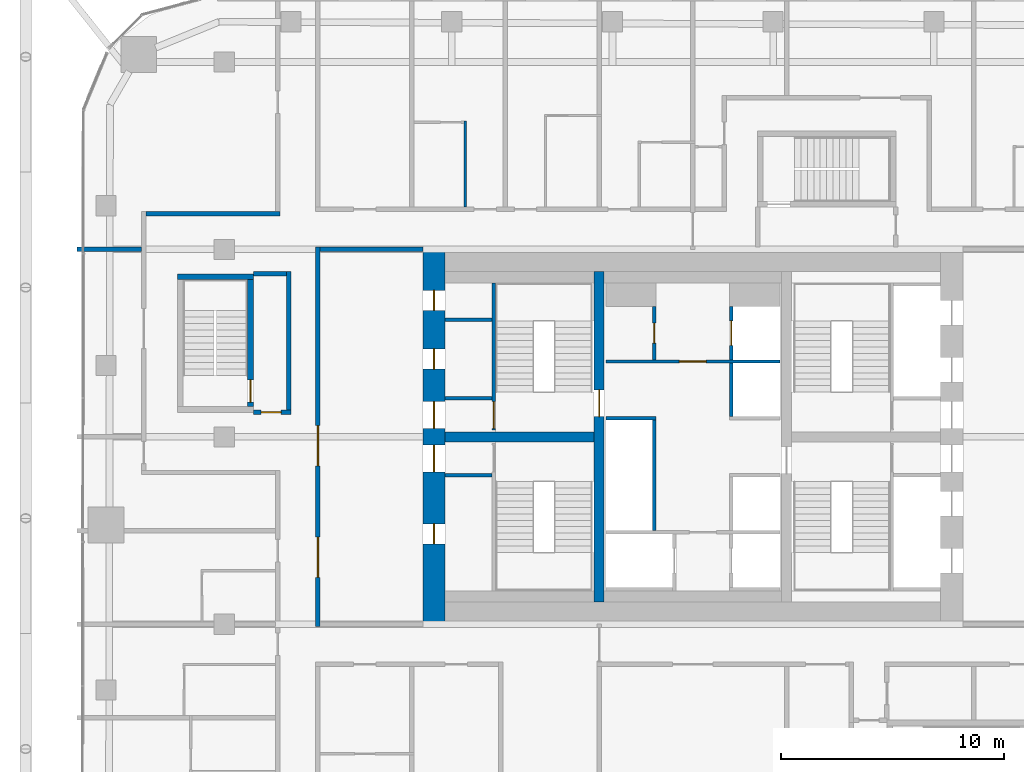
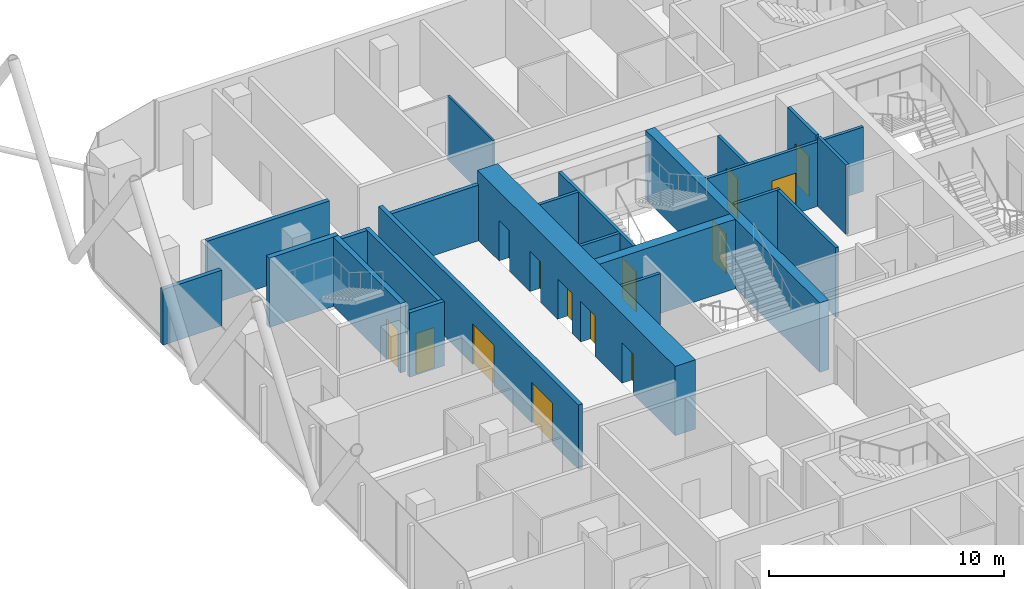
# One storey, part 28 of 33: 23 walls, 14 doors, 14 openings.
"""IFC4 building model written with IfcOpenShell, lengths in metres."""

import ifcopenshell
import ifcopenshell.guid

model = None  # the IFC model being written
_history = None  # IfcOwnerHistory: only IFC2X3 demands one
_inside = {}  # id of a spatial element -> (the spatial element, [elements in it])
_under = {}  # id of a project, library or spatial element -> (it, [spatial elements below it])
_declared = {}  # id of a project -> (the project, [libraries it declares])
_typed = {}  # id of a type object -> (the type object, [elements of that type])
_made_of = {}  # id of a material, layer set ... -> (it, [elements and type objects made of it])


def new_model(schema):
    """Start an empty IFC model of exactly this schema.

    Asked for "IFC4X3", IfcOpenShell would pick the latest addendum, in which some entities
    have other attributes; the version numbers below select the first issue.
    IFC2X3 requires an IfcOwnerHistory on every rooted entity: one is made here for all.
    """
    global model, _history
    if schema == "IFC4X3":
        model = ifcopenshell.file(schema_version=(4, 3, 0, 0))
    else:
        model = ifcopenshell.file(schema=schema)
    _inside.clear()
    _under.clear()
    _declared.clear()
    _typed.clear()
    _made_of.clear()
    _history = None
    if model.schema == "IFC2X3":
        org = make("IfcOrganization", Name="unknown")
        user = make(
            "IfcPersonAndOrganization",
            ThePerson=make("IfcPerson", FamilyName="unknown"),
            TheOrganization=org,
        )
        app = make(
            "IfcApplication",
            ApplicationDeveloper=org,
            Version="unknown",
            ApplicationFullName="unknown",
            ApplicationIdentifier="unknown",
        )
        _history = make(
            "IfcOwnerHistory",
            OwningUser=user,
            OwningApplication=app,
            ChangeAction="ADDED",
            CreationDate=0,
        )
    return model


def make(cls, **values):
    """One entity of the class cls with the attributes given. An attribute that is None is left unset."""
    return model.create_entity(
        cls, **{name: value for name, value in values.items() if value is not None}
    )


def rooted(cls, **values):
    """An entity with a GlobalId (a new one), such as an element, a storey or a relation."""
    return make(cls, GlobalId=ifcopenshell.guid.new(), OwnerHistory=_history, **values)


def si_unit(unit_type, name, prefix=None):
    """IfcSIUnit, for example si_unit("LENGTHUNIT", "METRE", prefix="MILLI")."""
    return make("IfcSIUnit", UnitType=unit_type, Prefix=prefix, Name=name)


def assignment(units):
    """IfcUnitAssignment: the units of a project."""
    return None if units is None else make("IfcUnitAssignment", Units=units)


def point(xyz):
    """IfcCartesianPoint."""
    return None if xyz is None else make("IfcCartesianPoint", Coordinates=xyz)


def direction(xyz):
    """IfcDirection."""
    return None if xyz is None else make("IfcDirection", DirectionRatios=xyz)


def frame(location, z_axis=None, x_axis=None):
    """IfcAxis2Placement3D, a coordinate frame: its origin and axes. An axis left out is left unset."""
    return make(
        "IfcAxis2Placement3D",
        Location=point(location),
        Axis=direction(z_axis),
        RefDirection=direction(x_axis),
    )


def frame_2d(location, x_axis=None):
    """IfcAxis2Placement2D, a coordinate frame in the plane: its origin and x axis."""
    return make(
        "IfcAxis2Placement2D", Location=point(location), RefDirection=direction(x_axis)
    )


def origin():
    """The frame at (0, 0, 0) with its axes left unset."""
    return frame((0.0, 0.0, 0.0))


def place(relative_to, where):
    """IfcLocalPlacement: puts the frame where relative to a parent placement (None: the world)."""
    return make(
        "IfcLocalPlacement", PlacementRelTo=relative_to, RelativePlacement=where
    )


def context(
    kind, dimensions, precision=None, world=None, true_north=None, identifier=None
):
    """IfcGeometricRepresentationContext, for example the 3D "Model" context."""
    return make(
        "IfcGeometricRepresentationContext",
        ContextIdentifier=identifier,
        ContextType=kind,
        CoordinateSpaceDimension=dimensions,
        Precision=precision,
        WorldCoordinateSystem=world,
        TrueNorth=true_north,
    )


def subcontext(parent, identifier, kind, view, scale=None):
    """IfcGeometricRepresentationSubContext, for example "Body" below "Model"."""
    return make(
        "IfcGeometricRepresentationSubContext",
        ContextIdentifier=identifier,
        ContextType=kind,
        ParentContext=parent,
        TargetScale=scale,
        TargetView=view,
    )


def project(units=None, contexts=None):
    """IfcProject with its units and contexts."""
    return rooted(
        "IfcProject",
        Name="project",
        RepresentationContexts=contexts,
        UnitsInContext=assignment(units),
    )


def spatial(cls, under=None, at=None, **own):
    """A site, building, storey or space (cls), placed at a placement, below another one or the project."""
    s = rooted(cls, ObjectPlacement=at, **own)
    if under is not None:
        _under.setdefault(under.id(), (under, []))[1].append(s)
    return s


def profile(cls, at=None, kind="AREA", **sizes):
    """A parametric profile (cls). Its sizes go by their IFC names, for example OverallWidth=200.0."""
    return make(cls, ProfileType=kind, Position=at, **sizes)


def rectangle(**sizes):
    """IfcRectangleProfileDef."""
    return profile("IfcRectangleProfileDef", **sizes)


def extrude(swept, where, along, depth):
    """IfcExtrudedAreaSolid: the profile swept, set in the frame where, extruded along a direction by depth."""
    return make(
        "IfcExtrudedAreaSolid",
        SweptArea=swept,
        Position=where,
        ExtrudedDirection=direction(along),
        Depth=depth,
    )


def shape(context_of_items, identifier, shape_type, items):
    """IfcShapeRepresentation: the items that make up one representation, for example the "Body"."""
    return make(
        "IfcShapeRepresentation",
        ContextOfItems=context_of_items,
        RepresentationIdentifier=identifier,
        RepresentationType=shape_type,
        Items=items,
    )


def material(Name=None, Category=None):
    """IfcMaterial."""
    return make("IfcMaterial", Name=Name, Category=Category)


def layer(
    of_material, thickness, ventilated=None, Name=None, Category=None, Priority=None
):
    """IfcMaterialLayer: one layer of a wall or slab, of a material (None: an air gap)."""
    return make(
        "IfcMaterialLayer",
        Material=of_material,
        LayerThickness=thickness,
        IsVentilated=ventilated,
        Name=Name,
        Category=Category,
        Priority=Priority,
    )


def layer_set(layers, Name=None):
    """IfcMaterialLayerSet."""
    return make("IfcMaterialLayerSet", MaterialLayers=layers, LayerSetName=Name)


def made_of(thing, what):
    """Note that an element or type object is made of a material, layer set ...; save() writes the relation."""
    if what is not None:
        _made_of.setdefault(what.id(), (what, []))[1].append(thing)
    return thing


def type_object(cls, material=None, **own):
    """A type object (cls), such as IfcWallType, which elements share."""
    return made_of(rooted(cls, **own), material)


def element(
    cls,
    number,
    at=None,
    inside=None,
    cuts=None,
    type_object=None,
    material=None,
    context=None,
    identifier="Body",
    shape_type=None,
    held_by="IfcProductDefinitionShape",
    body=None,
    shapes=None,
    **own,
):
    """One element of the class cls, such as IfcWall. Its Tag is "e" and its number.

    at: its placement. inside: the storey or other place that contains it. cuts: it is an
    opening in that element (IfcRelVoidsElement). A single representation is given by context,
    identifier, shape_type and body (its items); several are given by shapes. held_by: the class
    of the entity that holds the representations. save() writes the other relations.
    """
    e = rooted(cls, Tag="e%d" % number, ObjectPlacement=at, **own)
    if body is not None:
        shapes = [shape(context, identifier, shape_type, body)]
    if shapes is not None:
        e.Representation = make(held_by, Representations=shapes)
    if inside is not None:
        _inside.setdefault(inside.id(), (inside, []))[1].append(e)
    if cuts is not None:
        rooted(
            "IfcRelVoidsElement", RelatingBuildingElement=cuts, RelatedOpeningElement=e
        )
    if type_object is not None:
        _typed.setdefault(type_object.id(), (type_object, []))[1].append(e)
    return made_of(e, material)


def fill(opening, filler):
    """IfcRelFillsElement: the door or window that sits in an opening."""
    return rooted(
        "IfcRelFillsElement",
        RelatingOpeningElement=opening,
        RelatedBuildingElement=filler,
    )


def aggregate(whole, parts):
    """IfcRelAggregates: a whole, such as a stair, and the parts it consists of."""
    return rooted("IfcRelAggregates", RelatingObject=whole, RelatedObjects=parts)


def save(model, path):
    """Write the relations noted so far, then the file.

    IfcRelAggregates (storeys below a building ...), IfcRelContainedInSpatialStructure (elements
    in a storey), IfcRelDefinesByType, IfcRelAssociatesMaterial and IfcRelDeclares: one each for
    every whole, place, type object, material and project.
    """
    for whole, parts in _under.values():
        aggregate(whole, parts)
    for where, things in _inside.values():
        rooted(
            "IfcRelContainedInSpatialStructure",
            RelatedElements=things,
            RelatingStructure=where,
        )
    for kind, things in _typed.values():
        rooted("IfcRelDefinesByType", RelatedObjects=things, RelatingType=kind)
    for what, things in _made_of.values():
        rooted("IfcRelAssociatesMaterial", RelatedObjects=things, RelatingMaterial=what)
    for by, libraries in _declared.values():
        rooted("IfcRelDeclares", RelatingContext=by, RelatedDefinitions=libraries)
    model.write(path)


model = new_model("IFC4")

# Units and contexts
model_context = context("Model", 3, precision=1e-05, world=origin(), true_north=direction((0.0, 1.0)))
body_context = subcontext(model_context, "Body", "Model", "MODEL_VIEW")
ifc_project = project(units=[si_unit("LENGTHUNIT", "METRE"), si_unit("AREAUNIT", "SQUARE_METRE"), si_unit("VOLUMEUNIT", "CUBIC_METRE"), si_unit("PLANEANGLEUNIT", "RADIAN"), si_unit("MASSUNIT", "GRAM", prefix="KILO")], contexts=[model_context])

# Site, building, storey
site_placement = place(None, origin())
site = spatial("IfcSite", under=ifc_project, at=site_placement, CompositionType="ELEMENT")
building_placement = place(site_placement, origin())
building = spatial("IfcBuilding", under=site, at=building_placement, Name="Marenta Gate Hotel Tower", CompositionType="ELEMENT")
storey_placement = place(building_placement, frame((0.0, 0.0, 108.5)))
storey = spatial("IfcBuildingStorey", under=building, at=storey_placement, Name="L23", CompositionType="ELEMENT", Elevation=108.5)

# Wall, openings, doors
ifc_material_1 = material(Name="Concrete blockwork", Category="masonry")
ifc_layer_1 = layer(ifc_material_1, 0.199951171875)
ifc_layer_set_1 = layer_set([ifc_layer_1], Name="Concrete blockwork")
wall_type_1 = type_object("IfcWallType", Name="Core boundary wall 200 REI 180", PredefinedType="PARTITIONING", material=ifc_layer_set_1)
wall_1_placement = place(storey_placement, frame((-16.800048828125, -0.10009765625, 0.0), z_axis=(0.0, 0.0, 1.0), x_axis=(0.0, 1.0, 0.0)))
wall_1 = element("IfcWall", 1, at=wall_1_placement, inside=storey, type_object=wall_type_1, Name="L23-CP-BW-W", PredefinedType="PARTITIONING", context=body_context, shape_type="SweptSolid", body=[
    extrude(rectangle(XDim=17.0, YDim=0.199951171875, at=frame_2d((8.5, 0.0))), origin(), (0.0, 0.0, 1.0), 3.340087890625),
])
opening_1_placement = place(wall_1_placement, frame((2.199951171875, 0.0, 0.0)))
opening_1 = element("IfcOpeningElement", 2, at=opening_1_placement, cuts=wall_1, Name="Opening ED-Wa-B", PredefinedType="OPENING", context=body_context, shape_type="SweptSolid", body=[
    extrude(rectangle(XDim=1.800048828125, YDim=2.10009765625, at=frame_2d((0.89990234375, 1.050048828125))), frame((0.0, 0.10009765625, 0.0), z_axis=(0.0, -1.0, 0.0), x_axis=(1.0, 0.0, 0.0)), (0.0, 0.0, 1.0), 0.199951171875),
])
opening_2_placement = place(wall_1_placement, frame((7.199951171875, 0.0, 0.0)))
opening_2 = element("IfcOpeningElement", 3, at=opening_2_placement, cuts=wall_1, Name="Opening ED-Wb-B", PredefinedType="OPENING", context=body_context, shape_type="SweptSolid", body=[
    extrude(rectangle(XDim=1.800048828125, YDim=2.10009765625, at=frame_2d((0.89990234375, 1.050048828125))), frame((0.0, 0.10009765625, 0.0), z_axis=(0.0, -1.0, 0.0), x_axis=(1.0, 0.0, 0.0)), (0.0, 0.0, 1.0), 0.199951171875),
])
ifc_material_2 = material(Name="Steel", Category="steel")
door_type_1 = type_object("IfcDoorType", Name="Core lobby entrance door 1800x2100 EI 60", OperationType="DOUBLE_DOOR_SINGLE_SWING", PredefinedType="DOOR", material=ifc_material_2)
door_1_placement = place(opening_1_placement, origin())
door_1 = element("IfcDoor", 4, at=door_1_placement, inside=storey, type_object=door_type_1, Name="ED-Wa-B", OperationType="DOUBLE_DOOR_SINGLE_SWING", OverallHeight=2.10009765625, OverallWidth=1.800048828125, PredefinedType="DOOR", context=body_context, shape_type="SweptSolid", body=[
    extrude(rectangle(XDim=1.800048828125, YDim=2.10009765625, at=frame_2d((0.89990234375, 1.050048828125))), frame((0.0, 0.02490234375, 0.0), z_axis=(0.0, -1.0, 0.0), x_axis=(1.0, 0.0, 0.0)), (0.0, 0.0, 1.0), 0.050048828125),
])
fill(opening_1, door_1)
door_2_placement = place(opening_2_placement, origin())
door_2 = element("IfcDoor", 5, at=door_2_placement, inside=storey, type_object=door_type_1, Name="ED-Wb-B", OperationType="DOUBLE_DOOR_SINGLE_SWING", OverallHeight=2.10009765625, OverallWidth=1.800048828125, PredefinedType="DOOR", context=body_context, shape_type="SweptSolid", body=[
    extrude(rectangle(XDim=1.800048828125, YDim=2.10009765625, at=frame_2d((0.89990234375, 1.050048828125))), frame((0.0, 0.02490234375, 0.0), z_axis=(0.0, -1.0, 0.0), x_axis=(1.0, 0.0, 0.0)), (0.0, 0.0, 1.0), 0.050048828125),
])
fill(opening_2, door_2)

# Wall
wall_2_placement = place(storey_placement, frame((-16.699951171875, 16.800048828125, 0.0), z_axis=(0.0, 0.0, 1.0), x_axis=(1.0, 0.0, 0.0)))
element("IfcWall", 6, at=wall_2_placement, inside=storey, type_object=wall_type_1, Name="L23-CP-EW-WN", PredefinedType="PARTITIONING", context=body_context, shape_type="SweptSolid", body=[
    extrude(rectangle(XDim=4.599853515625, YDim=0.199951171875, at=frame_2d((2.2998046875, 0.0))), origin(), (0.0, 0.0, 1.0), 2.889892578125),
])

# Wall, opening, door
ifc_material_3 = material(Name="Concrete blockwork", Category="masonry")
ifc_layer_2 = layer(ifc_material_3, 0.14990234375)
ifc_layer_set_2 = layer_set([ifc_layer_2], Name="Concrete blockwork")
wall_type_2 = type_object("IfcWallType", Name="Core lobby partition 150 REI 180", PredefinedType="PARTITIONING", material=ifc_layer_set_2)
wall_3_placement = place(storey_placement, frame((-3.89990234375, 11.77490234375, 0.0), z_axis=(0.0, 0.0, 1.0), x_axis=(1.0, 0.0, 0.0)))
wall_3 = element("IfcWall", 7, at=wall_3_placement, inside=storey, type_object=wall_type_2, Name="L23-CP-CW-N", PredefinedType="PARTITIONING", context=body_context, shape_type="SweptSolid", body=[
    extrude(rectangle(XDim=7.7998046875, YDim=0.14990234375, at=frame_2d((3.89990234375, 0.0))), origin(), (0.0, 0.0, 1.0), 3.340087890625),
])
opening_3_placement = place(wall_3_placement, frame((3.300048828125, 0.0, 0.0)))
opening_3 = element("IfcOpeningElement", 8, at=opening_3_placement, cuts=wall_3, Name="Opening FD-FFN", PredefinedType="OPENING", context=body_context, shape_type="SweptSolid", body=[
    extrude(rectangle(XDim=1.199951171875, YDim=2.10009765625, at=frame_2d((0.60009765625, 1.050048828125))), frame((0.0, 0.074951171875, 0.0), z_axis=(0.0, -1.0, 0.0), x_axis=(1.0, 0.0, 0.0)), (0.0, 0.0, 1.0), 0.14990234375),
])
ifc_material_4 = material(Name="Steel", Category="steel")
door_type_2 = type_object("IfcDoorType", Name="Core lobby door 1200x2100 FD60", OperationType="SINGLE_SWING_LEFT", PredefinedType="DOOR", material=ifc_material_4)
door_3_placement = place(opening_3_placement, origin())
door_3 = element("IfcDoor", 9, at=door_3_placement, inside=storey, type_object=door_type_2, Name="FD-FFN", OperationType="SINGLE_SWING_LEFT", OverallHeight=2.10009765625, OverallWidth=1.199951171875, PredefinedType="DOOR", context=body_context, shape_type="SweptSolid", body=[
    extrude(rectangle(XDim=1.199951171875, YDim=2.10009765625, at=frame_2d((0.60009765625, 1.050048828125))), frame((0.0, 0.02490234375, 0.0), z_axis=(0.0, -1.0, 0.0), x_axis=(1.0, 0.0, 0.0)), (0.0, 0.0, 1.0), 0.050048828125),
])
fill(opening_3, door_3)

# Walls
ifc_material_5 = material(Name="Concrete blockwork", Category="masonry")
ifc_layer_3 = layer(ifc_material_5, 0.14990234375)
ifc_layer_set_3 = layer_set([ifc_layer_3], Name="Concrete blockwork")
wall_type_3 = type_object("IfcWallType", Name="Core room partition 150 REI 180", PredefinedType="PARTITIONING", material=ifc_layer_set_3)
for number, where, z_axis, x_axis, name in (
    (10, (-11.10009765625, 6.675048828125, 0.0), (0.0, 0.0, 1.0), (1.0, 0.0, 0.0), "L23-CP-SW-WS-2"),
    (11, (-11.10009765625, 10.125, 0.0), (0.0, 0.0, 1.0), (1.0, 0.0, 0.0), "L23-CP-SW-WN-2"),
    (12, (-11.10009765625, 13.64990234375, 0.0), (0.0, 0.0, 1.0), (1.0, 0.0, 0.0), "L23-CP-RW-WN-1"),
):
    element("IfcWall", number, at=place(storey_placement, frame(where, z_axis=z_axis, x_axis=x_axis)), inside=storey, type_object=wall_type_3, Name=name, PredefinedType="PARTITIONING", context=body_context, shape_type="SweptSolid", body=[
        extrude(rectangle(XDim=2.10009765625, YDim=0.14990234375, at=frame_2d((1.050048828125, 0.0))), origin(), (0.0, 0.0, 1.0), 3.340087890625),
    ])

# Wall, opening, door
wall_4_placement = place(storey_placement, frame((-1.72509765625, 11.85009765625, 0.0), z_axis=(0.0, 0.0, 1.0), x_axis=(0.0, 1.0, 0.0)))
wall_4 = element("IfcWall", 13, at=wall_4_placement, inside=storey, type_object=wall_type_3, Name="L23-CP-CW-W-riser-front", PredefinedType="PARTITIONING", context=body_context, shape_type="SweptSolid", body=[
    extrude(rectangle(XDim=2.39990234375, YDim=0.14990234375, at=frame_2d((1.199951171875, 0.0))), origin(), (0.0, 0.0, 1.0), 3.340087890625),
])
opening_4_placement = place(wall_4_placement, frame((0.75, 0.0, 0.0)))
opening_4 = element("IfcOpeningElement", 14, at=opening_4_placement, cuts=wall_4, Name="Opening RD-CRISER", PredefinedType="OPENING", context=body_context, shape_type="SweptSolid", body=[
    extrude(rectangle(XDim=0.89990234375, YDim=2.10009765625, at=frame_2d((0.449951171875, 1.050048828125))), frame((0.0, 0.074951171875, 0.0), z_axis=(0.0, -1.0, 0.0), x_axis=(1.0, 0.0, 0.0)), (0.0, 0.0, 1.0), 0.14990234375),
])
ifc_material_6 = material(Name="Steel", Category="steel")
door_type_3 = type_object("IfcDoorType", Name="Core riser door 900x2100 FD60", OperationType="SINGLE_SWING_LEFT", PredefinedType="DOOR", material=ifc_material_6)
door_4_placement = place(opening_4_placement, origin())
door_4 = element("IfcDoor", 15, at=door_4_placement, inside=storey, type_object=door_type_3, Name="RD-CRISER", OperationType="SINGLE_SWING_LEFT", OverallHeight=2.10009765625, OverallWidth=0.89990234375, PredefinedType="DOOR", context=body_context, shape_type="SweptSolid", body=[
    extrude(rectangle(XDim=0.89990234375, YDim=2.10009765625, at=frame_2d((0.449951171875, 1.050048828125))), frame((0.0, 0.02490234375, 0.0), z_axis=(0.0, -1.0, 0.0), x_axis=(1.0, 0.0, 0.0)), (0.0, 0.0, 1.0), 0.050048828125),
])
fill(opening_4, door_4)

# Walls
ifc_material_7 = material(Name="Concrete C40", Category="concrete")
ifc_layer_4 = layer(ifc_material_7, 0.14990234375)
ifc_layer_set_4 = layer_set([ifc_layer_4], Name="Concrete C40")
wall_type_4 = type_object("IfcWallType", Name="Core shaft wall 150 REI 180", PredefinedType="SHEAR", material=ifc_layer_set_4)
wall_5_placement = place(storey_placement, frame((-1.72509765625, 4.199951171875, 0.0), z_axis=(0.0, 0.0, 1.0), x_axis=(0.0, 1.0, 0.0)))
element("IfcWall", 16, at=wall_5_placement, inside=storey, type_object=wall_type_4, Name="L23-SHF-CW-W-front", PredefinedType="SHEAR", context=body_context, shape_type="SweptSolid", body=[
    extrude(rectangle(XDim=4.949951171875, YDim=0.14990234375, at=frame_2d((2.47509765625, 0.0))), origin(), (0.0, 0.0, 1.0), 3.60009765625),
])
wall_6_placement = place(storey_placement, frame((-3.89990234375, 9.22509765625, 0.0), z_axis=(0.0, 0.0, 1.0), x_axis=(1.0, 0.0, 0.0)))
element("IfcWall", 17, at=wall_6_placement, inside=storey, type_object=wall_type_4, Name="L23-SHF-CW-W-sep", PredefinedType="SHEAR", context=body_context, shape_type="SweptSolid", body=[
    extrude(rectangle(XDim=2.25, YDim=0.14990234375, at=frame_2d((1.125, 0.0))), origin(), (0.0, 0.0, 1.0), 3.60009765625),
])

# Wall, opening, door
wall_7_placement = place(storey_placement, frame((1.72509765625, 11.85009765625, 0.0), z_axis=(0.0, 0.0, 1.0), x_axis=(0.0, 1.0, 0.0)))
wall_7 = element("IfcWall", 18, at=wall_7_placement, inside=storey, type_object=wall_type_4, Name="L23-SHF-CE-N-front2", PredefinedType="SHEAR", context=body_context, shape_type="SweptSolid", body=[
    extrude(rectangle(XDim=2.39990234375, YDim=0.14990234375, at=frame_2d((1.199951171875, 0.0))), origin(), (0.0, 0.0, 1.0), 3.60009765625),
])
opening_5_placement = place(wall_7_placement, frame((0.64990234375, 0.0, 0.0)))
opening_5 = element("IfcOpeningElement", 19, at=opening_5_placement, cuts=wall_7, Name="Opening LD-FF2", PredefinedType="OPENING", context=body_context, shape_type="SweptSolid", body=[
    extrude(rectangle(XDim=1.10009765625, YDim=2.10009765625, at=frame_2d((0.550048828125, 1.050048828125))), frame((0.0, 0.074951171875, 0.0), z_axis=(0.0, -1.0, 0.0), x_axis=(1.0, 0.0, 0.0)), (0.0, 0.0, 1.0), 0.14990234375),
])
ifc_material_8 = material(Name="Steel", Category="steel")
door_type_4 = type_object("IfcDoorType", Name="Core lift landing door 1100x2100 E 60", OperationType="SLIDING_TO_LEFT", PredefinedType="DOOR", material=ifc_material_8)
door_5_placement = place(opening_5_placement, origin())
door_5 = element("IfcDoor", 20, at=door_5_placement, inside=storey, type_object=door_type_4, Name="LD-FF2", OperationType="SLIDING_TO_LEFT", OverallHeight=2.10009765625, OverallWidth=1.10009765625, PredefinedType="DOOR", context=body_context, shape_type="SweptSolid", body=[
    extrude(rectangle(XDim=1.10009765625, YDim=2.10009765625, at=frame_2d((0.550048828125, 1.050048828125))), frame((0.0, 0.02490234375, 0.0), z_axis=(0.0, -1.0, 0.0), x_axis=(1.0, 0.0, 0.0)), (0.0, 0.0, 1.0), 0.050048828125),
])
fill(opening_5, door_5)

# Wall
wall_8_placement = place(storey_placement, frame((1.72509765625, 9.300048828125, 0.0), z_axis=(0.0, 0.0, 1.0), x_axis=(0.0, 1.0, 0.0)))
element("IfcWall", 21, at=wall_8_placement, inside=storey, type_object=wall_type_4, Name="L23-SHF-CE-front-2", PredefinedType="SHEAR", context=body_context, shape_type="SweptSolid", body=[
    extrude(rectangle(XDim=2.39990234375, YDim=0.14990234375, at=frame_2d((1.199951171875, 0.0))), origin(), (0.0, 0.0, 1.0), 3.60009765625),
])

# Wall, opening, door
ifc_material_9 = material(Name="Concrete C40", Category="concrete")
ifc_layer_5 = layer(ifc_material_9, 0.14990234375)
ifc_layer_set_5 = layer_set([ifc_layer_5], Name="Concrete C40")
wall_type_5 = type_object("IfcWallType", Name="Core stair enclosure wall 150 REI 180", PredefinedType="SHEAR", material=ifc_layer_set_5)
wall_9_placement = place(storey_placement, frame((-8.925048828125, 8.699951171875, 0.0), z_axis=(0.0, 0.0, 1.0), x_axis=(0.0, 1.0, 0.0)))
wall_9 = element("IfcWall", 22, at=wall_9_placement, inside=storey, type_object=wall_type_5, Name="L23-SHF-SW-WN-3", PredefinedType="SHEAR", context=body_context, shape_type="SweptSolid", body=[
    extrude(rectangle(XDim=6.60009765625, YDim=0.14990234375, at=frame_2d((3.300048828125, 0.0))), origin(), (0.0, 0.0, 1.0), 3.340087890625),
])
opening_6_placement = place(wall_9_placement, frame((0.074951171875, 0.0, 0.0)))
opening_6 = element("IfcOpeningElement", 23, at=opening_6_placement, cuts=wall_9, Name="Opening SD-WN", PredefinedType="OPENING", context=body_context, shape_type="SweptSolid", body=[
    extrude(rectangle(XDim=1.199951171875, YDim=2.10009765625, at=frame_2d((0.60009765625, 1.050048828125))), frame((0.0, 0.074951171875, 0.0), z_axis=(0.0, -1.0, 0.0), x_axis=(1.0, 0.0, 0.0)), (0.0, 0.0, 1.0), 0.14990234375),
])
ifc_material_10 = material(Name="Steel", Category="steel")
door_type_5 = type_object("IfcDoorType", Name="Core stair door 1200x2100 FD60", OperationType="SINGLE_SWING_LEFT", PredefinedType="DOOR", material=ifc_material_10)
door_6_placement = place(opening_6_placement, origin())
door_6 = element("IfcDoor", 24, at=door_6_placement, inside=storey, type_object=door_type_5, Name="SD-WN", OperationType="SINGLE_SWING_LEFT", OverallHeight=2.10009765625, OverallWidth=1.199951171875, PredefinedType="DOOR", context=body_context, shape_type="SweptSolid", body=[
    extrude(rectangle(XDim=1.199951171875, YDim=2.10009765625, at=frame_2d((0.60009765625, 1.050048828125))), frame((0.0, 0.02490234375, 0.0), z_axis=(0.0, -1.0, 0.0), x_axis=(1.0, 0.0, 0.0)), (0.0, 0.0, 1.0), 0.050048828125),
])
fill(opening_6, door_6)

# Wall, openings, doors
ifc_material_11 = material(Name="Concrete C70", Category="concrete")
ifc_layer_6 = layer(ifc_material_11, 1.0)
ifc_layer_set_6 = layer_set([ifc_layer_6], Name="Concrete C70")
wall_type_6 = type_object("IfcWallType", Name="Core wall 1000 C70", PredefinedType="SHEAR", material=ifc_layer_set_6)
wall_10_placement = place(storey_placement, frame((-11.60009765625, 0.0, 0.0), z_axis=(0.0, 0.0, 1.0), x_axis=(0.0, 1.0, 0.0)))
wall_10 = element("IfcWall", 25, at=wall_10_placement, inside=storey, type_object=wall_type_6, Name="L23-CORE-W", PredefinedType="SHEAR", context=body_context, shape_type="SweptSolid", body=[
    extrude(rectangle(XDim=16.800048828125, YDim=1.0, at=frame_2d((8.39990234375, 0.0))), origin(), (0.0, 0.0, 1.0), 3.60009765625),
])
opening_7_placement = place(wall_10_placement, frame((3.60009765625, 0.0, 0.0)))
opening_7 = element("IfcOpeningElement", 26, at=opening_7_placement, cuts=wall_10, Name="Opening RD-WS-1", PredefinedType="OPENING", context=body_context, shape_type="SweptSolid", body=[
    extrude(rectangle(XDim=0.89990234375, YDim=2.10009765625, at=frame_2d((0.449951171875, 1.050048828125))), frame((0.0, 0.5, 0.0), z_axis=(0.0, -1.0, 0.0), x_axis=(1.0, 0.0, 0.0)), (0.0, 0.0, 1.0), 1.0),
])
opening_8_placement = place(wall_10_placement, frame((6.824951171875, 0.0, 0.0)))
opening_8 = element("IfcOpeningElement", 27, at=opening_8_placement, cuts=wall_10, Name="Opening PD-WS", PredefinedType="OPENING", context=body_context, shape_type="SweptSolid", body=[
    extrude(rectangle(XDim=1.199951171875, YDim=2.10009765625, at=frame_2d((0.60009765625, 1.050048828125))), frame((0.0, 0.5, 0.0), z_axis=(0.0, -1.0, 0.0), x_axis=(1.0, 0.0, 0.0)), (0.0, 0.0, 1.0), 1.0),
])
opening_9_placement = place(wall_10_placement, frame((14.0625, 0.0, 0.0)))
opening_9 = element("IfcOpeningElement", 28, at=opening_9_placement, cuts=wall_10, Name="Opening RD-WN-1", PredefinedType="OPENING", context=body_context, shape_type="SweptSolid", body=[
    extrude(rectangle(XDim=0.89990234375, YDim=2.10009765625, at=frame_2d((0.449951171875, 1.050048828125))), frame((0.0, 0.5, 0.0), z_axis=(0.0, -1.0, 0.0), x_axis=(1.0, 0.0, 0.0)), (0.0, 0.0, 1.0), 1.0),
])
opening_10_placement = place(wall_10_placement, frame((11.4375, 0.0, 0.0)))
opening_10 = element("IfcOpeningElement", 29, at=opening_10_placement, cuts=wall_10, Name="Opening RD-WN-2", PredefinedType="OPENING", context=body_context, shape_type="SweptSolid", body=[
    extrude(rectangle(XDim=0.89990234375, YDim=2.10009765625, at=frame_2d((0.449951171875, 1.050048828125))), frame((0.0, 0.5, 0.0), z_axis=(0.0, -1.0, 0.0), x_axis=(1.0, 0.0, 0.0)), (0.0, 0.0, 1.0), 1.0),
])
opening_11_placement = place(wall_10_placement, frame((8.77490234375, 0.0, 0.0)))
opening_11 = element("IfcOpeningElement", 30, at=opening_11_placement, cuts=wall_10, Name="Opening PD-WN", PredefinedType="OPENING", context=body_context, shape_type="SweptSolid", body=[
    extrude(rectangle(XDim=1.199951171875, YDim=2.10009765625, at=frame_2d((0.60009765625, 1.050048828125))), frame((0.0, 0.5, 0.0), z_axis=(0.0, -1.0, 0.0), x_axis=(1.0, 0.0, 0.0)), (0.0, 0.0, 1.0), 1.0),
])
door_7_placement = place(opening_8_placement, origin())
door_7 = element("IfcDoor", 31, at=door_7_placement, inside=storey, type_object=door_type_2, Name="PD-WS", OperationType="SINGLE_SWING_LEFT", OverallHeight=2.10009765625, OverallWidth=1.199951171875, PredefinedType="DOOR", context=body_context, shape_type="SweptSolid", body=[
    extrude(rectangle(XDim=1.199951171875, YDim=2.10009765625, at=frame_2d((0.60009765625, 1.050048828125))), frame((0.0, 0.02490234375, 0.0), z_axis=(0.0, -1.0, 0.0), x_axis=(1.0, 0.0, 0.0)), (0.0, 0.0, 1.0), 0.050048828125),
])
fill(opening_8, door_7)
door_8_placement = place(opening_11_placement, origin())
door_8 = element("IfcDoor", 32, at=door_8_placement, inside=storey, type_object=door_type_2, Name="PD-WN", OperationType="SINGLE_SWING_LEFT", OverallHeight=2.10009765625, OverallWidth=1.199951171875, PredefinedType="DOOR", context=body_context, shape_type="SweptSolid", body=[
    extrude(rectangle(XDim=1.199951171875, YDim=2.10009765625, at=frame_2d((0.60009765625, 1.050048828125))), frame((0.0, 0.02490234375, 0.0), z_axis=(0.0, -1.0, 0.0), x_axis=(1.0, 0.0, 0.0)), (0.0, 0.0, 1.0), 0.050048828125),
])
fill(opening_11, door_8)
ifc_material_12 = material(Name="Steel", Category="steel")
door_type_6 = type_object("IfcDoorType", Name="Core service room door 900x2100 FD30S", OperationType="SINGLE_SWING_LEFT", PredefinedType="DOOR", material=ifc_material_12)
door_9_placement = place(opening_7_placement, origin())
door_9 = element("IfcDoor", 33, at=door_9_placement, inside=storey, type_object=door_type_6, Name="RD-WS-1", OperationType="SINGLE_SWING_LEFT", OverallHeight=2.10009765625, OverallWidth=0.89990234375, PredefinedType="DOOR", context=body_context, shape_type="SweptSolid", body=[
    extrude(rectangle(XDim=0.89990234375, YDim=2.10009765625, at=frame_2d((0.449951171875, 1.050048828125))), frame((0.0, 0.02490234375, 0.0), z_axis=(0.0, -1.0, 0.0), x_axis=(1.0, 0.0, 0.0)), (0.0, 0.0, 1.0), 0.050048828125),
])
fill(opening_7, door_9)
door_10_placement = place(opening_9_placement, origin())
door_10 = element("IfcDoor", 34, at=door_10_placement, inside=storey, type_object=door_type_6, Name="RD-WN-1", OperationType="SINGLE_SWING_LEFT", OverallHeight=2.10009765625, OverallWidth=0.89990234375, PredefinedType="DOOR", context=body_context, shape_type="SweptSolid", body=[
    extrude(rectangle(XDim=0.89990234375, YDim=2.10009765625, at=frame_2d((0.449951171875, 1.050048828125))), frame((0.0, 0.02490234375, 0.0), z_axis=(0.0, -1.0, 0.0), x_axis=(1.0, 0.0, 0.0)), (0.0, 0.0, 1.0), 0.050048828125),
])
fill(opening_9, door_10)
door_11_placement = place(opening_10_placement, origin())
door_11 = element("IfcDoor", 35, at=door_11_placement, inside=storey, type_object=door_type_6, Name="RD-WN-2", OperationType="SINGLE_SWING_LEFT", OverallHeight=2.10009765625, OverallWidth=0.89990234375, PredefinedType="DOOR", context=body_context, shape_type="SweptSolid", body=[
    extrude(rectangle(XDim=0.89990234375, YDim=2.10009765625, at=frame_2d((0.449951171875, 1.050048828125))), frame((0.0, 0.02490234375, 0.0), z_axis=(0.0, -1.0, 0.0), x_axis=(1.0, 0.0, 0.0)), (0.0, 0.0, 1.0), 0.050048828125),
])
fill(opening_10, door_11)

# Wall, opening, door
ifc_material_13 = material(Name="Concrete C70", Category="concrete")
ifc_layer_7 = layer(ifc_material_13, 0.449951171875)
ifc_layer_set_7 = layer_set([ifc_layer_7], Name="Concrete C70")
wall_type_7 = type_object("IfcWallType", Name="Core web 450 C70", PredefinedType="SHEAR", material=ifc_layer_set_7)
wall_11_placement = place(storey_placement, frame((-4.199951171875, 1.0, 0.0), z_axis=(0.0, 0.0, 1.0), x_axis=(0.0, 1.0, 0.0)))
wall_11 = element("IfcWall", 36, at=wall_11_placement, inside=storey, type_object=wall_type_7, Name="L23-CORE-W1", PredefinedType="SHEAR", context=body_context, shape_type="SweptSolid", body=[
    extrude(rectangle(XDim=14.800048828125, YDim=0.449951171875, at=frame_2d((7.39990234375, 0.0))), origin(), (0.0, 0.0, 1.0), 3.60009765625),
])
opening_12_placement = place(wall_11_placement, frame((8.300048828125, 0.0, 0.0)))
opening_12 = element("IfcOpeningElement", 37, at=opening_12_placement, cuts=wall_11, Name="Opening WD-W", PredefinedType="OPENING", context=body_context, shape_type="SweptSolid", body=[
    extrude(rectangle(XDim=1.199951171875, YDim=2.10009765625, at=frame_2d((0.60009765625, 1.050048828125))), frame((0.0, 0.22509765625, 0.0), z_axis=(0.0, -1.0, 0.0), x_axis=(1.0, 0.0, 0.0)), (0.0, 0.0, 1.0), 0.449951171875),
])
door_12_placement = place(opening_12_placement, origin())
door_12 = element("IfcDoor", 38, at=door_12_placement, inside=storey, type_object=door_type_5, Name="WD-W", OperationType="SINGLE_SWING_LEFT", OverallHeight=2.10009765625, OverallWidth=1.199951171875, PredefinedType="DOOR", context=body_context, shape_type="SweptSolid", body=[
    extrude(rectangle(XDim=1.199951171875, YDim=2.10009765625, at=frame_2d((0.60009765625, 1.050048828125))), frame((0.0, 0.02490234375, 0.0), z_axis=(0.0, -1.0, 0.0), x_axis=(1.0, 0.0, 0.0)), (0.0, 0.0, 1.0), 0.050048828125),
])
fill(opening_12, door_12)

# Walls
wall_12_placement = place(storey_placement, frame((-11.10009765625, 8.39990234375, 0.0), z_axis=(0.0, 0.0, 1.0), x_axis=(1.0, 0.0, 0.0)))
element("IfcWall", 39, at=wall_12_placement, inside=storey, type_object=wall_type_7, Name="L23-CORE-W3", PredefinedType="SHEAR", context=body_context, shape_type="SweptSolid", body=[
    extrude(rectangle(XDim=6.675048828125, YDim=0.449951171875, at=frame_2d((3.33740234375, 0.0))), origin(), (0.0, 0.0, 1.0), 3.60009765625),
])
ifc_material_14 = material(Name="Concrete C40", Category="concrete")
ifc_layer_8 = layer(ifc_material_14, 0.25)
ifc_layer_set_8 = layer_set([ifc_layer_8], Name="Concrete C40")
wall_type_8 = type_object("IfcWallType", Name="Remote stair enclosure wall 250 REI 180", PredefinedType="SHEAR", material=ifc_layer_set_8)
wall_13_placement = place(storey_placement, frame((-23.10009765625, 15.574951171875, 0.10009765625), z_axis=(0.0, 0.0, 1.0), x_axis=(1.0, 0.0, 0.0)))
element("IfcWall", 40, at=wall_13_placement, inside=storey, type_object=wall_type_8, Name="L23-RS-Z1-3-W2", PredefinedType="SHEAR", context=body_context, shape_type="SweptSolid", body=[
    extrude(rectangle(XDim=3.400146484375, YDim=0.25, at=frame_2d((1.7001953125, 0.0))), origin(), (0.0, 0.0, 1.0), 3.599853515625),
])

# Wall, opening, door
wall_14_placement = place(storey_placement, frame((-19.824951171875, 9.75, 0.10009765625), z_axis=(0.0, 0.0, 1.0), x_axis=(0.0, 1.0, 0.0)))
wall_14 = element("IfcWall", 41, at=wall_14_placement, inside=storey, type_object=wall_type_8, Name="L23-RS-Z1-3-W4", PredefinedType="SHEAR", context=body_context, shape_type="SweptSolid", body=[
    extrude(rectangle(XDim=5.699951171875, YDim=0.25, at=frame_2d((2.85009765625, 0.0))), origin(), (0.0, 0.0, 1.0), 3.599853515625),
])
opening_13_placement = place(wall_14_placement, frame((0.199951171875, 0.0, 0.0)))
opening_13 = element("IfcOpeningElement", 42, at=opening_13_placement, cuts=wall_14, Name="Opening VD", PredefinedType="OPENING", context=body_context, shape_type="SweptSolid", body=[
    extrude(rectangle(XDim=1.0, YDim=2.10009765625, at=frame_2d((0.5, 1.050048828125))), frame((0.0, 0.125, 0.0), z_axis=(0.0, -1.0, 0.0), x_axis=(1.0, 0.0, 0.0)), (0.0, 0.0, 1.0), 0.25),
])
ifc_material_15 = material(Name="Steel", Category="steel")
door_type_7 = type_object("IfcDoorType", Name="Stair vestibule door 1000x2100 FD60", OperationType="SINGLE_SWING_LEFT", PredefinedType="DOOR", material=ifc_material_15)
door_13_placement = place(opening_13_placement, origin())
door_13 = element("IfcDoor", 43, at=door_13_placement, inside=storey, type_object=door_type_7, Name="VD", OperationType="SINGLE_SWING_LEFT", OverallHeight=2.10009765625, OverallWidth=1.0, PredefinedType="DOOR", context=body_context, shape_type="SweptSolid", body=[
    extrude(rectangle(XDim=1.0, YDim=2.10009765625, at=frame_2d((0.5, 1.050048828125))), frame((0.0, 0.02490234375, 0.0), z_axis=(0.0, -1.0, 0.0), x_axis=(1.0, 0.0, 0.0)), (0.0, 0.0, 1.0), 0.050048828125),
])
fill(opening_13, door_13)

# Wall
ifc_material_16 = material(Name="Gypsum board on steel stud", Category="steel")
ifc_layer_9 = layer(ifc_material_16, 0.199951171875)
ifc_layer_set_9 = layer_set([ifc_layer_9], Name="Gypsum board on steel stud")
wall_type_9 = type_object("IfcWallType", Name="Room corridor wall 200 EI 60", PredefinedType="PARTITIONING", material=ifc_layer_set_9)
wall_15_placement = place(storey_placement, frame((-24.5, 18.39990234375, 0.0), z_axis=(0.0, 0.0, 1.0), x_axis=(1.0, 0.0, 0.0)))
element("IfcWall", 44, at=wall_15_placement, inside=storey, type_object=wall_type_9, Name="L23-PTN-W109", PredefinedType="PARTITIONING", context=body_context, shape_type="SweptSolid", body=[
    extrude(rectangle(XDim=6.0, YDim=0.199951171875, at=frame_2d((3.0, 0.0))), origin(), (0.0, 0.0, 1.0), 3.340087890625),
])

# Wall, opening, door
ifc_material_17 = material(Name="Concrete blockwork", Category="masonry")
ifc_layer_10 = layer(ifc_material_17, 0.199951171875)
ifc_layer_set_10 = layer_set([ifc_layer_10], Name="Concrete blockwork")
wall_type_10 = type_object("IfcWallType", Name="Room corridor wall 200 REI 180", PredefinedType="PARTITIONING", material=ifc_layer_set_10)
wall_16_placement = place(storey_placement, frame((-19.699951171875, 9.5, 0.0), z_axis=(0.0, 0.0, 1.0), x_axis=(1.0, 0.0, 0.0)))
wall_16 = element("IfcWall", 45, at=wall_16_placement, inside=storey, type_object=wall_type_10, Name="L23-PTN-W091", PredefinedType="PARTITIONING", context=body_context, shape_type="SweptSolid", body=[
    extrude(rectangle(XDim=1.699951171875, YDim=0.199951171875, at=frame_2d((0.85009765625, 0.0))), origin(), (0.0, 0.0, 1.0), 3.340087890625),
])
opening_14_placement = place(wall_16_placement, frame((0.35009765625, 0.0, 0.0)))
opening_14 = element("IfcOpeningElement", 46, at=opening_14_placement, cuts=wall_16, Name="Opening G08-66", PredefinedType="OPENING", context=body_context, shape_type="SweptSolid", body=[
    extrude(rectangle(XDim=0.89990234375, YDim=2.10009765625, at=frame_2d((0.449951171875, 1.050048828125))), frame((0.0, 0.10009765625, 0.0), z_axis=(0.0, -1.0, 0.0), x_axis=(1.0, 0.0, 0.0)), (0.0, 0.0, 1.0), 0.199951171875),
])
ifc_material_18 = material(Name="Hollow steel door set", Category="steel")
door_type_8 = type_object("IfcDoorType", Name="Stair vestibule door 900x2100 EI 60", OperationType="NOTDEFINED", PredefinedType="DOOR", material=ifc_material_18)
door_14_placement = place(opening_14_placement, origin())
door_14 = element("IfcDoor", 47, at=door_14_placement, inside=storey, type_object=door_type_8, Name="L23-PD-D066", OperationType="SINGLE_SWING_RIGHT", OverallHeight=2.10009765625, OverallWidth=0.89990234375, PredefinedType="DOOR", context=body_context, shape_type="SweptSolid", body=[
    extrude(rectangle(XDim=0.89990234375, YDim=2.10009765625, at=frame_2d((0.449951171875, 1.050048828125))), frame((0.0, 0.02490234375, 0.0), z_axis=(0.0, -1.0, 0.0), x_axis=(1.0, 0.0, 0.0)), (0.0, 0.0, 1.0), 0.050048828125),
])
fill(opening_14, door_14)

# Walls
wall_17_placement = place(storey_placement, frame((-19.699951171875, 15.699951171875, 0.0), z_axis=(0.0, 0.0, 1.0), x_axis=(1.0, 0.0, 0.0)))
element("IfcWall", 48, at=wall_17_placement, inside=storey, type_object=wall_type_10, Name="L23-PTN-W102", PredefinedType="PARTITIONING", context=body_context, shape_type="SweptSolid", body=[
    extrude(rectangle(XDim=1.5, YDim=0.199951171875, at=frame_2d((0.75, 0.0))), origin(), (0.0, 0.0, 1.0), 3.340087890625),
])
wall_18_placement = place(storey_placement, frame((-18.10009765625, 9.60009765625, 0.0), z_axis=(0.0, 0.0, 1.0), x_axis=(0.0, 1.0, 0.0)))
element("IfcWall", 49, at=wall_18_placement, inside=storey, type_object=wall_type_10, Name="L23-PTN-W108", PredefinedType="PARTITIONING", context=body_context, shape_type="SweptSolid", body=[
    extrude(rectangle(XDim=6.199951171875, YDim=0.199951171875, at=frame_2d((3.10009765625, 0.0))), origin(), (0.0, 0.0, 1.0), 3.340087890625),
])
ifc_material_19 = material(Name="Gypsum board on steel stud", Category="steel")
ifc_layer_11 = layer(ifc_material_19, 0.10009765625)
ifc_layer_set_11 = layer_set([ifc_layer_11], Name="Gypsum board on steel stud")
wall_type_11 = type_object("IfcWallType", Name="Room partition 100", PredefinedType="PARTITIONING", material=ifc_layer_set_11)
wall_19_placement = place(storey_placement, frame((-10.199951171875, 18.699951171875, 0.0), z_axis=(0.0, 0.0, 1.0), x_axis=(0.0, 1.0, 0.0)))
element("IfcWall", 50, at=wall_19_placement, inside=storey, type_object=wall_type_11, Name="L23-PTN-W092", PredefinedType="PARTITIONING", context=body_context, shape_type="SweptSolid", body=[
    extrude(rectangle(XDim=3.85009765625, YDim=0.10009765625, at=frame_2d((1.925048828125, 0.0))), origin(), (0.0, 0.0, 1.0), 3.340087890625),
])
ifc_material_20 = material(Name="Gypsum board on steel stud", Category="steel")
ifc_layer_12 = layer(ifc_material_20, 0.199951171875)
ifc_layer_set_12 = layer_set([ifc_layer_12], Name="Gypsum board on steel stud")
wall_type_12 = type_object("IfcWallType", Name="Room party wall 200 EI 60", PredefinedType="PARTITIONING", material=ifc_layer_set_12)
wall_20_placement = place(storey_placement, frame((-27.60009765625, 16.800048828125, 0.0), z_axis=(0.0, 0.0, 1.0), x_axis=(1.0, 0.0, 0.0)))
element("IfcWall", 51, at=wall_20_placement, inside=storey, type_object=wall_type_12, Name="L23-PTN-W106", PredefinedType="PARTITIONING", context=body_context, shape_type="SweptSolid", body=[
    extrude(rectangle(XDim=2.900146484375, YDim=0.199951171875, at=frame_2d((1.4501953125, 0.0))), origin(), (0.0, 0.0, 1.0), 2.889892578125),
])

save(model, "model.ifc")
